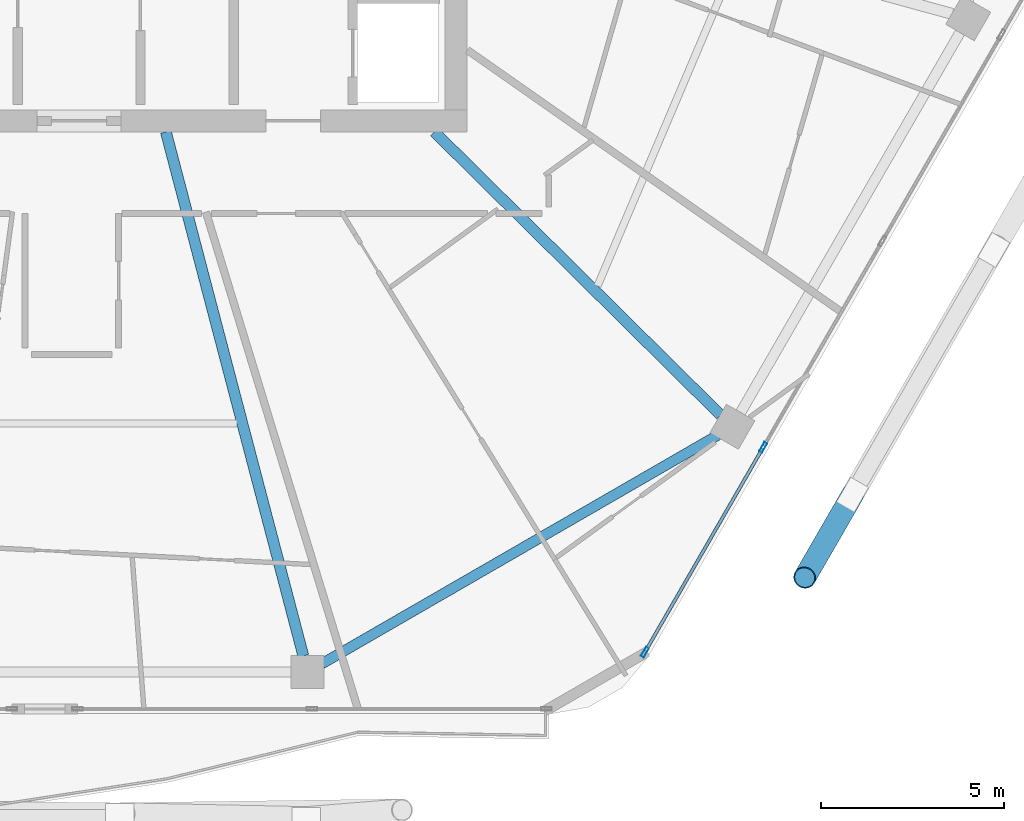
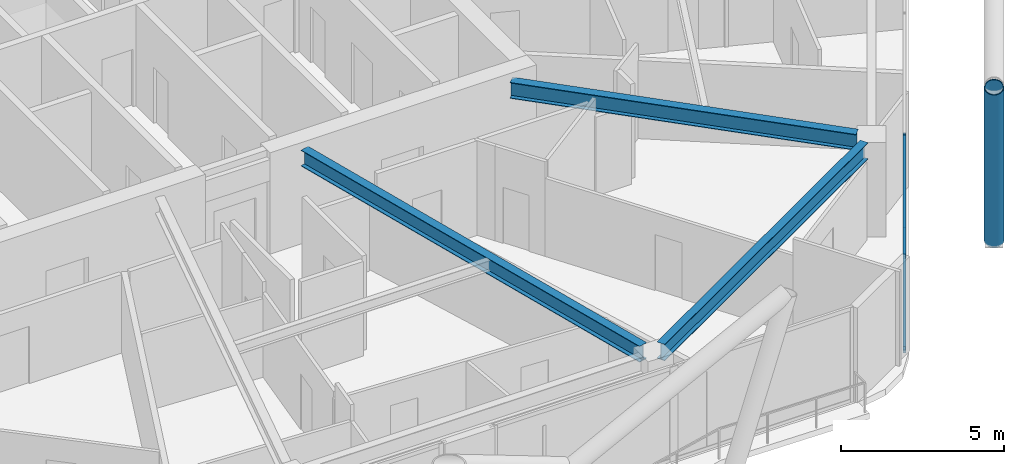
# One storey, part 8 of 28: 5 members, 3 beams, 1 element without a shape of its own.
"""IFC4 building model written with IfcOpenShell, lengths in metres."""

from ifc_helpers import new_model, si_unit, direction, frame, origin, origin_2d, place, context, subcontext, project, spatial, hollow_rectangle, hollow_circle, i_section, extrude, material, material_profile, profile_set, type_object, element, aggregate, save


model = new_model("IFC4")

# Units and contexts
model_context = context("Model", 3, precision=1e-05, world=origin(), true_north=direction((0.0, 1.0)))
body_context = subcontext(model_context, "Body", "Model", "MODEL_VIEW")
ifc_project = project(units=[si_unit("LENGTHUNIT", "METRE"), si_unit("AREAUNIT", "SQUARE_METRE"), si_unit("VOLUMEUNIT", "CUBIC_METRE"), si_unit("PLANEANGLEUNIT", "RADIAN"), si_unit("MASSUNIT", "GRAM", prefix="KILO")], contexts=[model_context])

# Site, building, storey
site_placement = place(None, origin())
site = spatial("IfcSite", under=ifc_project, at=site_placement, CompositionType="ELEMENT")
building_placement = place(site_placement, origin())
building = spatial("IfcBuilding", under=site, at=building_placement, Name="Zuhravey Tower", CompositionType="ELEMENT")
storey_placement = place(building_placement, frame((0.0, 0.0, 254.0)))
storey = spatial("IfcBuildingStorey", under=building, at=storey_placement, Name="L64", CompositionType="ELEMENT", Elevation=254.0)

# Curtain wall, members
ifc_material_1 = material(Name="Thermally broken anodised aluminium", Category="aluminium")
curtain_wall_type = type_object("IfcCurtainWallType", Name="Zone 3-4 High-Rise Curtain Wall CW4", PredefinedType="NOTDEFINED", material=ifc_material_1)
curtain_wall_placement = place(storey_placement, origin())
curtain_wall = element("IfcCurtainWall", 1, at=curtain_wall_placement, inside=storey, type_object=curtain_wall_type, Name="L64 CW4 CW-L64-F6-1", PredefinedType="NOTDEFINED")
ifc_material_2 = material(Name="Anodised aluminium", Category="aluminium")
ifc_material_profile_1 = material_profile(ifc_material_2, hollow_rectangle(XDim=0.090087890625, YDim=0.284912109375, WallThickness=0.0048828125, at=origin_2d()), Name="ALU-RHS-90x285x5")
ifc_profile_set_1 = profile_set([ifc_material_profile_1], Name="Anodised aluminium")
member_type_1 = type_object("IfcMemberType", Name="Curtain-Wall Mullion 90x180", PredefinedType="MULLION", material=ifc_profile_set_1)
member_1_placement = place(storey_placement, frame((54.885498046875, 13.58349609375, 0.0), z_axis=(0.0, 0.0, 1.0), x_axis=(0.866024851021, -0.500000957414, 0.0)))
member_1 = element("IfcMember", 2, at=member_1_placement, type_object=member_type_1, Name="CW4 mullion 4", PredefinedType="MULLION", context=body_context, shape_type="SweptSolid", body=[
    extrude(hollow_rectangle(XDim=0.090087890625, YDim=0.284912109375, WallThickness=0.0048828125, at=origin_2d()), origin(), (0.0, 0.0, 1.0), 3.550048828125),
])
member_2_placement = place(storey_placement, frame((51.65478515625, 7.98779296875, 0.0), z_axis=(0.0, 0.0, 1.0), x_axis=(0.866024851021, -0.500000957414, 0.0)))
member_2 = element("IfcMember", 3, at=member_2_placement, type_object=member_type_1, Name="CW4 mullion 5", PredefinedType="MULLION", context=body_context, shape_type="SweptSolid", body=[
    extrude(hollow_rectangle(XDim=0.090087890625, YDim=0.284912109375, WallThickness=0.0048828125, at=origin_2d()), origin(), (0.0, 0.0, 1.0), 3.550048828125),
])
ifc_material_profile_2 = material_profile(ifc_material_2, hollow_rectangle(XDim=0.090087890625, YDim=0.14990234375, WallThickness=0.0048828125, at=origin_2d()), Name="ALU-RHS-90x150x5")
ifc_profile_set_2 = profile_set([ifc_material_profile_2], Name="Anodised aluminium")
member_type_2 = type_object("IfcMemberType", Name="Curtain-Wall Transom 90x150", PredefinedType="USERDEFINED", material=ifc_profile_set_2)
member_3_placement = place(storey_placement, frame((54.863037109375, 13.544677734375, 0.044921875), z_axis=(-0.499980071345, -0.866036909293, 0.0), x_axis=(0.866036909293, -0.499980071345, 0.0)))
member_3 = element("IfcMember", 4, at=member_3_placement, type_object=member_type_2, Name="CW4 transom 4.1", ObjectType="TRANSOM", PredefinedType="USERDEFINED", context=body_context, shape_type="SweptSolid", body=[
    extrude(hollow_rectangle(XDim=0.090087890625, YDim=0.14990234375, WallThickness=0.0048828125, at=origin_2d()), origin(), (0.0, 0.0, 1.0), 6.371337890625),
])
member_4_placement = place(storey_placement, frame((54.863037109375, 13.544677734375, 3.5048828125), z_axis=(-0.499980071345, -0.866036909293, 0.0), x_axis=(0.866036909293, -0.499980071345, 0.0)))
member_4 = element("IfcMember", 5, at=member_4_placement, type_object=member_type_2, Name="CW4 transom 4.2", ObjectType="TRANSOM", PredefinedType="USERDEFINED", context=body_context, shape_type="SweptSolid", body=[
    extrude(hollow_rectangle(XDim=0.090087890625, YDim=0.14990234375, WallThickness=0.0048828125, at=origin_2d()), origin(), (0.0, 0.0, 1.0), 6.371337890625),
])
aggregate(curtain_wall, [member_1, member_2, member_3, member_4])

# Member
ifc_material_3 = material(Name="Steel SM355", Category="steel")
ifc_material_profile_3 = material_profile(ifc_material_3, hollow_circle(Radius=0.3046875, WallThickness=0.028076171875, at=origin_2d()), Name="CHS-609.6x28")
ifc_profile_set_3 = profile_set([ifc_material_profile_3], Name="Steel SM355")
member_type_3 = type_object("IfcMemberType", Name="Exoskeleton Zone 3 Diagrid CHS610x28", PredefinedType="BRACE", material=ifc_profile_set_3)
member_5_placement = place(storey_placement, frame((57.322021484375, 12.28369140625, -0.446044921875), z_axis=(-0.163029217662, -0.282394798701, 0.945343668649), x_axis=(0.866040668696, -0.499973559465, 0.0)))
element("IfcMember", 6, at=member_5_placement, inside=storey, type_object=member_type_3, Name="L64 Face 6 Diagrid Brace 1", PredefinedType="BRACE", context=body_context, shape_type="SweptSolid", body=[
    extrude(hollow_circle(Radius=0.3046875, WallThickness=0.028076171875, at=origin_2d()), origin(), (0.0, 0.0, 1.0), 8.001220703125),
])

# Beams
ifc_material_profile_4 = material_profile(ifc_material_3, i_section(OverallWidth=0.280029296875, OverallDepth=0.6201171875, WebThickness=0.011962890625, FlangeThickness=0.02001953125, at=origin_2d()), Name="H-620x280x12x20")
ifc_profile_set_4 = profile_set([ifc_material_profile_4], Name="Steel SM355")
beam_type_1 = type_object("IfcBeamType", Name="Perimeter Ring Beam H620x280", PredefinedType="BEAM", material=ifc_profile_set_4)
beam_1_placement = place(storey_placement, frame((42.833251953125, 7.6728515625, 3.239990234375), z_axis=(0.866025131093, 0.500000472315, 0.0), x_axis=(-0.500000472315, 0.866025131093, 0.0)))
element("IfcBeam", 7, at=beam_1_placement, inside=storey, type_object=beam_type_1, Name="L64 PB3 BM-L64-PB-10", PredefinedType="BEAM", context=body_context, shape_type="SweptSolid", body=[
    extrude(i_section(OverallWidth=0.280029296875, OverallDepth=0.6201171875, WebThickness=0.011962890625, FlangeThickness=0.02001953125, at=origin_2d()), origin(), (0.0, 0.0, 1.0), 12.49169921875),
])
ifc_material_profile_5 = material_profile(ifc_material_3, i_section(OverallWidth=0.300048828125, OverallDepth=0.60009765625, WebThickness=0.011962890625, FlangeThickness=0.02001953125, at=origin_2d()), Name="H-600x300x12x20")
ifc_profile_set_5 = profile_set([ifc_material_profile_5], Name="Steel SM355")
beam_type_2 = type_object("IfcBeamType", Name="Radial Primary Girder H600x300", PredefinedType="BEAM", material=ifc_profile_set_5)
beam_2_placement = place(storey_placement, frame((38.571533203125, 22.197021484375, 3.25), z_axis=(0.253731415841, -0.967274712073, 0.0), x_axis=(0.967274712073, 0.253731415841, 0.0)))
element("IfcBeam", 8, at=beam_2_placement, inside=storey, type_object=beam_type_2, Name="L64 RG3 BM-L64-RAD-10", PredefinedType="BEAM", context=body_context, shape_type="SweptSolid", body=[
    extrude(i_section(OverallWidth=0.300048828125, OverallDepth=0.60009765625, WebThickness=0.011962890625, FlangeThickness=0.02001953125, at=origin_2d()), origin(), (0.0, 0.0, 1.0), 14.796630859375),
])
beam_3_placement = place(storey_placement, frame((45.90673828125, 22.197021484375, 3.25), z_axis=(0.710816516282, -0.703377480576, 0.0), x_axis=(0.703377480576, 0.710816516282, 0.0)))
element("IfcBeam", 9, at=beam_3_placement, inside=storey, type_object=beam_type_2, Name="L64 RG3 BM-L64-RAD-11", PredefinedType="BEAM", context=body_context, shape_type="SweptSolid", body=[
    extrude(i_section(OverallWidth=0.300048828125, OverallDepth=0.60009765625, WebThickness=0.011962890625, FlangeThickness=0.02001953125, at=origin_2d()), origin(), (0.0, 0.0, 1.0), 10.994384765625),
])

save(model, "model.ifc")
